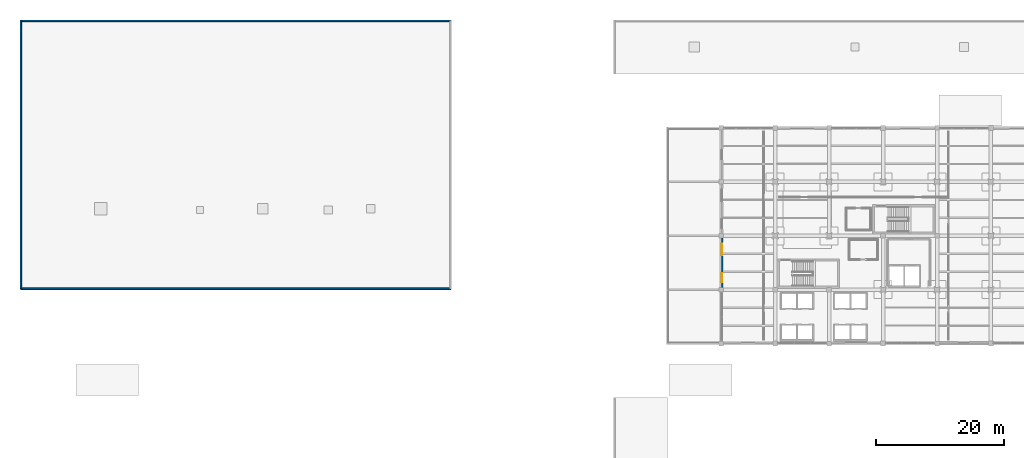
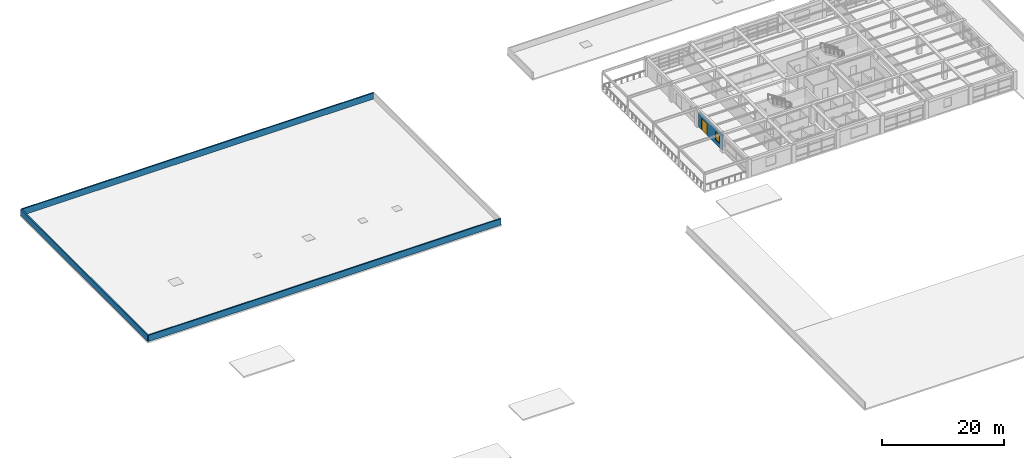
# One storey, part 30 of 35: 4 walls, 1 door, 1 window, 2 openings.
"""IFC4 building model written with IfcOpenShell, lengths in metres."""

from ifc_helpers import new_model, si_unit, direction, frame, frame_2d, origin, place, context, subcontext, project, spatial, rectangle, extrude, material, layer, layer_set, type_object, element, fill, save


model = new_model("IFC4")

# Units and contexts
model_context = context("Model", 3, precision=1e-05, world=origin(), true_north=direction((0.0, 1.0)))
body_context = subcontext(model_context, "Body", "Model", "MODEL_VIEW")
ifc_project = project(units=[si_unit("LENGTHUNIT", "METRE"), si_unit("AREAUNIT", "SQUARE_METRE"), si_unit("VOLUMEUNIT", "CUBIC_METRE"), si_unit("PLANEANGLEUNIT", "RADIAN"), si_unit("MASSUNIT", "GRAM", prefix="KILO")], contexts=[model_context])

# Site, building, storey
site_placement = place(None, origin())
site = spatial("IfcSite", under=ifc_project, at=site_placement, CompositionType="ELEMENT")
building_placement = place(site_placement, origin())
building = spatial("IfcBuilding", under=site, at=building_placement, Name="Almacenes y Pasaje Nevantli", CompositionType="ELEMENT")
storey_placement = place(building_placement, frame((0.0, 0.0, 26.699951171875)))
storey = spatial("IfcBuildingStorey", under=building, at=storey_placement, Name="L06", CompositionType="ELEMENT", Elevation=26.699951171875)

# Wall, openings, door, window
ifc_material_1 = material(Name="Architectural Precast Concrete C35/45 Spandrel Wall", Category="concrete")
ifc_layer_1 = layer(ifc_material_1, 0.280029296875)
ifc_layer_set_1 = layer_set([ifc_layer_1], Name="Architectural Precast Concrete C35/45 Spandrel Wall")
wall_type_1 = type_object("IfcWallType", Name="WL-EXT-CANTERA-280", PredefinedType="SOLIDWALL", material=ifc_layer_set_1)
wall_1_placement = place(storey_placement, frame((109.340087890625, 75.97802734375, 0.0), z_axis=(0.0, 0.0, 1.0), x_axis=(0.0, 1.0, 0.0)))
wall_1 = element("IfcWall", 1, at=wall_1_placement, inside=storey, type_object=wall_type_1, Name="L06 Tower West Ziggurat Terrace Door Wall Bay 10", PredefinedType="SOLIDWALL", context=body_context, shape_type="SweptSolid", body=[
    extrude(rectangle(XDim=7.669921875, YDim=0.280029296875, at=frame_2d((3.8349609375, 0.0))), origin(), (0.0, 0.0, 1.0), 3.0400390625),
])
opening_1_placement = place(wall_1_placement, frame((0.77197265625, 0.0, 0.85009765625)))
opening_1 = element("IfcOpeningElement", 2, at=opening_1_placement, cuts=wall_1, Name="Opening WT-34-198", PredefinedType="OPENING", context=body_context, shape_type="SweptSolid", body=[
    extrude(rectangle(XDim=1.39990234375, YDim=1.699951171875, at=frame_2d((0.699951171875, 0.85009765625))), frame((0.0, 0.14990234375, 0.0), z_axis=(0.0, -1.0, 0.0), x_axis=(1.0, 0.0, 0.0)), (0.0, 0.0, 1.0), 0.300048828125),
])
opening_2_placement = place(wall_1_placement, frame((4.971923828125, 0.0, 0.0)))
opening_2 = element("IfcOpeningElement", 3, at=opening_2_placement, cuts=wall_1, Name="Opening ED-L06-041", PredefinedType="OPENING", context=body_context, shape_type="SweptSolid", body=[
    extrude(rectangle(XDim=1.800048828125, YDim=2.35009765625, at=frame_2d((0.89990234375, 1.175048828125))), frame((0.0, 0.14990234375, 0.0), z_axis=(0.0, -1.0, 0.0), x_axis=(1.0, 0.0, 0.0)), (0.0, 0.0, 1.0), 0.300048828125),
])
ifc_material_2 = material(Name="Anodized Aluminium and Safety Glass", Category="aluminium")
door_type = type_object("IfcDoorType", Name="DR-EXT-TER-1800", OperationType="DOUBLE_DOOR_SINGLE_SWING", PredefinedType="DOOR", material=ifc_material_2)
door_placement = place(opening_2_placement, origin())
door = element("IfcDoor", 4, at=door_placement, inside=storey, type_object=door_type, Name="L06 Office Lounge to Ziggurat Roof Terrace Door #1", OperationType="DOUBLE_DOOR_SINGLE_SWING", OverallHeight=2.35009765625, OverallWidth=1.800048828125, PredefinedType="DOOR", context=body_context, shape_type="SweptSolid", body=[
    extrude(rectangle(XDim=1.800048828125, YDim=2.35009765625, at=frame_2d((0.89990234375, 1.175048828125))), frame((0.0, 0.02490234375, 0.0), z_axis=(0.0, -1.0, 0.0), x_axis=(1.0, 0.0, 0.0)), (0.0, 0.0, 1.0), 0.050048828125),
])
fill(opening_2, door)
ifc_material_3 = material(Name="Thermally Broken Aluminium and Low-E Double Glazing", Category="aluminium")
window_type = type_object("IfcWindowType", Name="WN-TWR-1400x1700", PartitioningType="SINGLE_PANEL", PredefinedType="WINDOW", material=ifc_material_3)
window_placement = place(opening_1_placement, origin())
window = element("IfcWindow", 5, at=window_placement, inside=storey, type_object=window_type, Name="L06 Exterior Window WT-34 #198", OverallHeight=1.699951171875, OverallWidth=1.39990234375, PartitioningType="SINGLE_PANEL", PredefinedType="WINDOW", context=body_context, shape_type="SweptSolid", body=[
    extrude(rectangle(XDim=1.39990234375, YDim=1.699951171875, at=frame_2d((0.699951171875, 0.85009765625))), frame((0.0, 0.030029296875, 0.0), z_axis=(0.0, -1.0, 0.0), x_axis=(1.0, 0.0, 0.0)), (0.0, 0.0, 1.0), 0.06005859375),
])
fill(opening_1, window)

# Walls
ifc_material_4 = material(Name="Reinforced Concrete C35/45 Roof Parapet", Category="concrete")
ifc_layer_2 = layer(ifc_material_4, 0.239990234375)
ifc_layer_set_2 = layer_set([ifc_layer_2], Name="Reinforced Concrete C35/45 Roof Parapet")
wall_type_2 = type_object("IfcWallType", Name="WL-PARAPET-240", PredefinedType="PARAPET", material=ifc_layer_set_2)
wall_2_placement = place(storey_placement, frame((0.14990234375, 117.449951171875, 0.0), z_axis=(0.0, 0.0, 1.0), x_axis=(1.0, 0.0, 0.0)))
element("IfcWall", 6, at=wall_2_placement, inside=storey, type_object=wall_type_2, Name="L06 NW Plant Roof North Parapet", PredefinedType="PARAPET", context=body_context, shape_type="SweptSolid", body=[
    extrude(rectangle(XDim=66.900146484375, YDim=0.239990234375, at=frame_2d((33.4501953125, 0.0))), origin(), (0.0, 0.0, 1.0), 1.25),
])
wall_3_placement = place(storey_placement, frame((0.14990234375, 75.75, 0.0), z_axis=(0.0, 0.0, 1.0), x_axis=(0.0, 1.0, 0.0)))
element("IfcWall", 7, at=wall_3_placement, inside=storey, type_object=wall_type_2, Name="L06 NW Plant Roof West Parapet", PredefinedType="PARAPET", context=body_context, shape_type="SweptSolid", body=[
    extrude(rectangle(XDim=41.699951171875, YDim=0.239990234375, at=frame_2d((20.85009765625, 0.0))), origin(), (0.0, 0.0, 1.0), 1.25),
])
wall_4_placement = place(storey_placement, frame((0.14990234375, 75.75, 0.0), z_axis=(0.0, 0.0, 1.0), x_axis=(1.0, 0.0, 0.0)))
element("IfcWall", 8, at=wall_4_placement, inside=storey, type_object=wall_type_2, Name="L06 NW Plant Roof South Parapet", PredefinedType="PARAPET", context=body_context, shape_type="SweptSolid", body=[
    extrude(rectangle(XDim=66.900146484375, YDim=0.239990234375, at=frame_2d((33.4501953125, 0.0))), origin(), (0.0, 0.0, 1.0), 1.25),
])

save(model, "model.ifc")
